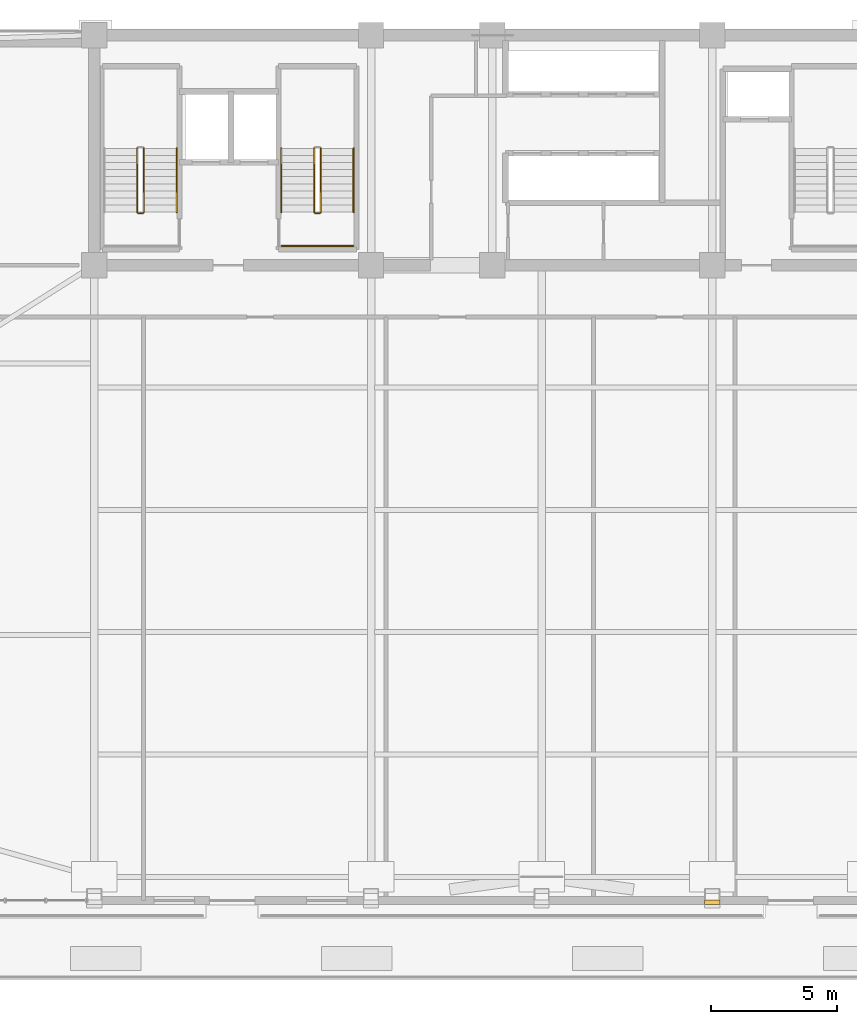
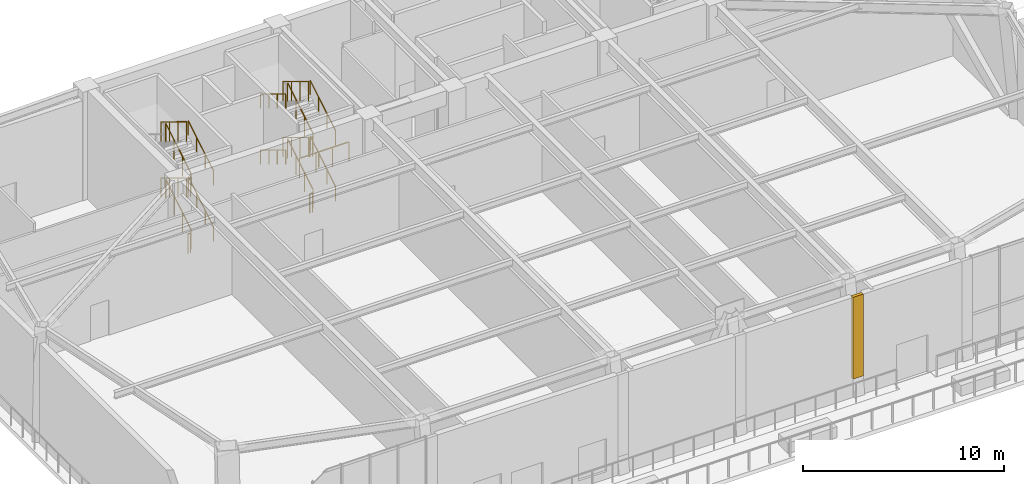
# One storey, part 13 of 16: 19 railings, 1 covering.
"""IFC4 building model written with IfcOpenShell, lengths in metres."""

from ifc_helpers import new_model, si_unit, direction, frame, origin, origin_2d, place, context, subcontext, project, spatial, polyline, rectangle, outline, extrude, material, layer, layer_set, type_object, element, save


model = new_model("IFC4")

# Units and contexts
model_context = context("Model", 3, precision=1e-05, world=origin(), true_north=direction((0.0, 1.0)))
body_context = subcontext(model_context, "Body", "Model", "MODEL_VIEW")
ifc_project = project(units=[si_unit("LENGTHUNIT", "METRE"), si_unit("AREAUNIT", "SQUARE_METRE"), si_unit("VOLUMEUNIT", "CUBIC_METRE"), si_unit("PLANEANGLEUNIT", "RADIAN"), si_unit("MASSUNIT", "GRAM", prefix="KILO")], contexts=[model_context])

# Site, building, storey
site_placement = place(None, origin())
site = spatial("IfcSite", under=ifc_project, at=site_placement, CompositionType="ELEMENT")
building_placement = place(site_placement, origin())
building = spatial("IfcBuilding", under=site, at=building_placement, Name="Giltprow Tower", CompositionType="ELEMENT")
storey_placement = place(building_placement, frame((0.0, 0.0, 220.199951171875)))
storey = spatial("IfcBuildingStorey", under=building, at=storey_placement, Name="L56", CompositionType="ELEMENT", Elevation=220.199951171875)

# Covering
ifc_material = material(Name="Anodized bronze", Category="metal")
ifc_layer = layer(ifc_material, 0.0400390625, Name="Anodized bronze")
ifc_layer_set = layer_set([ifc_layer], Name="Anodized bronze")
covering_type = type_object("IfcCoveringType", Name="COV-SOFFIT-BRONZE", PredefinedType="CLADDING", material=ifc_layer_set)
covering_placement = place(storey_placement, frame((0.0, 0.0, 1.10009765625)))
element("IfcCovering", 1, at=covering_placement, inside=storey, type_object=covering_type, Name="L56 Setback Pier Closure Cladding S-4", PredefinedType="CLADDING", context=body_context, shape_type="SweptSolid", body=[
    extrude(outline(polyline([(44.0, 12.157958984375), (44.60009765625, 12.157958984375), (44.60009765625, 12.337890625), (44.0, 12.337890625), (44.0, 12.157958984375)])), origin(), (0.0, 0.0, 1.0), 4.96484375),
])

# Railings
railing_type_1 = type_object("IfcRailingType", Name="RAIL-STAIR-GUARD-1200", PredefinedType="GUARDRAIL", material=ifc_material)
railing_1_placement = place(storey_placement, frame((21.81005859375, 39.550048828125, 0.170166015625)))
element("IfcRailing", 2, at=railing_1_placement, inside=storey, type_object=railing_type_1, Name="L56 ST-1 stair guard 1", PredefinedType="GUARDRAIL", context=body_context, shape_type="SweptSolid", body=[
    extrude(rectangle(XDim=0.048095703125, YDim=0.048095703125, at=origin_2d()), frame((0.0, 0.0, 1.17578125), z_axis=(0.0, 0.854821627497, 0.518921945155), x_axis=(-1.0, 0.0, 0.0)), (0.0, 0.0, 1.0), 2.947998046875),
    extrude(rectangle(XDim=0.0419921875, YDim=0.0419921875, at=origin_2d()), origin(), (0.0, 0.0, 1.0), 1.15185546875),
    extrude(rectangle(XDim=0.0419921875, YDim=0.0419921875, at=origin_2d()), frame((0.0, 0.840087890625, 0.510009765625)), (0.0, 0.0, 1.0), 1.15185546875),
    extrude(rectangle(XDim=0.0419921875, YDim=0.0419921875, at=origin_2d()), frame((0.0, 1.679931640625, 1.019775390625)), (0.0, 0.0, 1.0), 1.15185546875),
    extrude(rectangle(XDim=0.0419921875, YDim=0.0419921875, at=origin_2d()), frame((0.0, 2.52001953125, 1.52978515625)), (0.0, 0.0, 1.0), 1.15185546875),
])
railing_2_placement = place(storey_placement, frame((21.550048828125, 42.070068359375, 1.8701171875)))
element("IfcRailing", 3, at=railing_2_placement, inside=storey, type_object=railing_type_1, Name="L56 ST-1 stair guard 3", PredefinedType="GUARDRAIL", context=body_context, shape_type="SweptSolid", body=[
    extrude(rectangle(XDim=0.048095703125, YDim=0.048095703125, at=origin_2d()), frame((0.0, 0.0, 1.17578125), z_axis=(0.0, -0.85478489116, 0.518982456201), x_axis=(1.0, 0.0, 0.0)), (0.0, 0.0, 1.0), 2.9482421875),
    extrude(rectangle(XDim=0.0419921875, YDim=0.0419921875, at=origin_2d()), origin(), (0.0, 0.0, 1.0), 1.15185546875),
    extrude(rectangle(XDim=0.0419921875, YDim=0.0419921875, at=origin_2d()), frame((0.0, -0.840087890625, 0.510009765625)), (0.0, 0.0, 1.0), 1.15185546875),
    extrude(rectangle(XDim=0.0419921875, YDim=0.0419921875, at=origin_2d()), frame((0.0, -1.679931640625, 1.02001953125)), (0.0, 0.0, 1.0), 1.15185546875),
    extrude(rectangle(XDim=0.0419921875, YDim=0.0419921875, at=origin_2d()), frame((0.0, -2.52001953125, 1.530029296875)), (0.0, 0.0, 1.0), 1.15185546875),
])
railing_3_placement = place(storey_placement, frame((21.760009765625, 39.5, 3.400146484375)))
element("IfcRailing", 4, at=railing_3_placement, inside=storey, type_object=railing_type_1, Name="L56 ST-1 stair guard 4", PredefinedType="GUARDRAIL", context=body_context, shape_type="SweptSolid", body=[
    extrude(rectangle(XDim=0.048095703125, YDim=0.048095703125, at=origin_2d()), frame((0.0, 0.0, 1.17578125), z_axis=(-1.0, 0.0, 0.0), x_axis=(0.0, -1.0, 0.0)), (0.0, 0.0, 1.0), 0.159912109375),
    extrude(rectangle(XDim=0.0419921875, YDim=0.0419921875, at=origin_2d()), origin(), (0.0, 0.0, 1.0), 1.15185546875),
    extrude(rectangle(XDim=0.0419921875, YDim=0.0419921875, at=origin_2d()), frame((-0.159912109375, 0.0, 0.0)), (0.0, 0.0, 1.0), 1.15185546875),
])
railing_4_placement = place(storey_placement, frame((21.81005859375, 39.550048828125, 3.570068359375)))
element("IfcRailing", 5, at=railing_4_placement, inside=storey, type_object=railing_type_1, Name="L56 ST-1 stair guard 5", PredefinedType="GUARDRAIL", context=body_context, shape_type="SweptSolid", body=[
    extrude(rectangle(XDim=0.048095703125, YDim=0.048095703125, at=origin_2d()), frame((0.0, 0.0, 1.17578125), z_axis=(0.0, 0.85478489116, 0.518982456201), x_axis=(-1.0, 0.0, 0.0)), (0.0, 0.0, 1.0), 2.9482421875),
    extrude(rectangle(XDim=0.0419921875, YDim=0.0419921875, at=origin_2d()), origin(), (0.0, 0.0, 1.0), 1.15185546875),
    extrude(rectangle(XDim=0.0419921875, YDim=0.0419921875, at=origin_2d()), frame((0.0, 0.840087890625, 0.510009765625)), (0.0, 0.0, 1.0), 1.15185546875),
    extrude(rectangle(XDim=0.0419921875, YDim=0.0419921875, at=origin_2d()), frame((0.0, 1.679931640625, 1.02001953125)), (0.0, 0.0, 1.0), 1.15185546875),
    extrude(rectangle(XDim=0.0419921875, YDim=0.0419921875, at=origin_2d()), frame((0.0, 2.52001953125, 1.530029296875)), (0.0, 0.0, 1.0), 1.15185546875),
])
railing_5_placement = place(storey_placement, frame((21.550048828125, 42.070068359375, 5.27001953125)))
element("IfcRailing", 6, at=railing_5_placement, inside=storey, type_object=railing_type_1, Name="L56 ST-1 stair guard 7", PredefinedType="GUARDRAIL", context=body_context, shape_type="SweptSolid", body=[
    extrude(rectangle(XDim=0.048095703125, YDim=0.048095703125, at=origin_2d()), frame((0.0, 0.0, 1.17578125), z_axis=(0.0, -0.85478489116, 0.518982456201), x_axis=(1.0, 0.0, 0.0)), (0.0, 0.0, 1.0), 2.9482421875),
    extrude(rectangle(XDim=0.0419921875, YDim=0.0419921875, at=origin_2d()), origin(), (0.0, 0.0, 1.0), 1.15185546875),
    extrude(rectangle(XDim=0.0419921875, YDim=0.0419921875, at=origin_2d()), frame((0.0, -0.840087890625, 0.510009765625)), (0.0, 0.0, 1.0), 1.15185546875),
    extrude(rectangle(XDim=0.0419921875, YDim=0.0419921875, at=origin_2d()), frame((0.0, -1.679931640625, 1.02001953125)), (0.0, 0.0, 1.0), 1.15185546875),
    extrude(rectangle(XDim=0.0419921875, YDim=0.0419921875, at=origin_2d()), frame((0.0, -2.52001953125, 1.530029296875)), (0.0, 0.0, 1.0), 1.15185546875),
])
railing_6_placement = place(storey_placement, frame((21.760009765625, 39.5, 0.0)))
element("IfcRailing", 7, at=railing_6_placement, inside=storey, type_object=railing_type_1, Name="L56 ST-1 stair guard 8", PredefinedType="GUARDRAIL", context=body_context, shape_type="SweptSolid", body=[
    extrude(rectangle(XDim=0.048095703125, YDim=0.048095703125, at=origin_2d()), frame((0.0, 0.0, 1.17578125), z_axis=(-1.0, 0.0, 0.0), x_axis=(0.0, -1.0, 0.0)), (0.0, 0.0, 1.0), 0.159912109375),
    extrude(rectangle(XDim=0.0419921875, YDim=0.0419921875, at=origin_2d()), origin(), (0.0, 0.0, 1.0), 1.15185546875),
    extrude(rectangle(XDim=0.0419921875, YDim=0.0419921875, at=origin_2d()), frame((-0.159912109375, 0.0, 0.0)), (0.0, 0.0, 1.0), 1.15185546875),
])
railing_7_placement = place(storey_placement, frame((28.81005859375, 39.550048828125, 0.170166015625)))
element("IfcRailing", 8, at=railing_7_placement, inside=storey, type_object=railing_type_1, Name="L56 ST-2 stair guard 1", PredefinedType="GUARDRAIL", context=body_context, shape_type="SweptSolid", body=[
    extrude(rectangle(XDim=0.048095703125, YDim=0.048095703125, at=origin_2d()), frame((0.0, 0.0, 1.17578125), z_axis=(0.0, 0.854821627497, 0.518921945155), x_axis=(-1.0, 0.0, 0.0)), (0.0, 0.0, 1.0), 2.947998046875),
    extrude(rectangle(XDim=0.0419921875, YDim=0.0419921875, at=origin_2d()), origin(), (0.0, 0.0, 1.0), 1.15185546875),
    extrude(rectangle(XDim=0.0419921875, YDim=0.0419921875, at=origin_2d()), frame((0.0, 0.840087890625, 0.510009765625)), (0.0, 0.0, 1.0), 1.15185546875),
    extrude(rectangle(XDim=0.0419921875, YDim=0.0419921875, at=origin_2d()), frame((0.0, 1.679931640625, 1.019775390625)), (0.0, 0.0, 1.0), 1.15185546875),
    extrude(rectangle(XDim=0.0419921875, YDim=0.0419921875, at=origin_2d()), frame((0.0, 2.52001953125, 1.52978515625)), (0.0, 0.0, 1.0), 1.15185546875),
])
railing_8_placement = place(storey_placement, frame((28.550048828125, 42.070068359375, 1.8701171875)))
element("IfcRailing", 9, at=railing_8_placement, inside=storey, type_object=railing_type_1, Name="L56 ST-2 stair guard 3", PredefinedType="GUARDRAIL", context=body_context, shape_type="SweptSolid", body=[
    extrude(rectangle(XDim=0.048095703125, YDim=0.048095703125, at=origin_2d()), frame((0.0, 0.0, 1.17578125), z_axis=(0.0, -0.85478489116, 0.518982456201), x_axis=(1.0, 0.0, 0.0)), (0.0, 0.0, 1.0), 2.9482421875),
    extrude(rectangle(XDim=0.0419921875, YDim=0.0419921875, at=origin_2d()), origin(), (0.0, 0.0, 1.0), 1.15185546875),
    extrude(rectangle(XDim=0.0419921875, YDim=0.0419921875, at=origin_2d()), frame((0.0, -0.840087890625, 0.510009765625)), (0.0, 0.0, 1.0), 1.15185546875),
    extrude(rectangle(XDim=0.0419921875, YDim=0.0419921875, at=origin_2d()), frame((0.0, -1.679931640625, 1.02001953125)), (0.0, 0.0, 1.0), 1.15185546875),
    extrude(rectangle(XDim=0.0419921875, YDim=0.0419921875, at=origin_2d()), frame((0.0, -2.52001953125, 1.530029296875)), (0.0, 0.0, 1.0), 1.15185546875),
])
railing_9_placement = place(storey_placement, frame((28.760009765625, 39.5, 3.400146484375)))
element("IfcRailing", 10, at=railing_9_placement, inside=storey, type_object=railing_type_1, Name="L56 ST-2 stair guard 4", PredefinedType="GUARDRAIL", context=body_context, shape_type="SweptSolid", body=[
    extrude(rectangle(XDim=0.048095703125, YDim=0.048095703125, at=origin_2d()), frame((0.0, 0.0, 1.17578125), z_axis=(-1.0, 0.0, 0.0), x_axis=(0.0, -1.0, 0.0)), (0.0, 0.0, 1.0), 0.159912109375),
    extrude(rectangle(XDim=0.0419921875, YDim=0.0419921875, at=origin_2d()), origin(), (0.0, 0.0, 1.0), 1.15185546875),
    extrude(rectangle(XDim=0.0419921875, YDim=0.0419921875, at=origin_2d()), frame((-0.159912109375, 0.0, 0.0)), (0.0, 0.0, 1.0), 1.15185546875),
])
railing_10_placement = place(storey_placement, frame((28.81005859375, 39.550048828125, 3.570068359375)))
element("IfcRailing", 11, at=railing_10_placement, inside=storey, type_object=railing_type_1, Name="L56 ST-2 stair guard 5", PredefinedType="GUARDRAIL", context=body_context, shape_type="SweptSolid", body=[
    extrude(rectangle(XDim=0.048095703125, YDim=0.048095703125, at=origin_2d()), frame((0.0, 0.0, 1.17578125), z_axis=(0.0, 0.85478489116, 0.518982456201), x_axis=(-1.0, 0.0, 0.0)), (0.0, 0.0, 1.0), 2.9482421875),
    extrude(rectangle(XDim=0.0419921875, YDim=0.0419921875, at=origin_2d()), origin(), (0.0, 0.0, 1.0), 1.15185546875),
    extrude(rectangle(XDim=0.0419921875, YDim=0.0419921875, at=origin_2d()), frame((0.0, 0.840087890625, 0.510009765625)), (0.0, 0.0, 1.0), 1.15185546875),
    extrude(rectangle(XDim=0.0419921875, YDim=0.0419921875, at=origin_2d()), frame((0.0, 1.679931640625, 1.02001953125)), (0.0, 0.0, 1.0), 1.15185546875),
    extrude(rectangle(XDim=0.0419921875, YDim=0.0419921875, at=origin_2d()), frame((0.0, 2.52001953125, 1.530029296875)), (0.0, 0.0, 1.0), 1.15185546875),
])
railing_11_placement = place(storey_placement, frame((28.550048828125, 42.070068359375, 5.27001953125)))
element("IfcRailing", 12, at=railing_11_placement, inside=storey, type_object=railing_type_1, Name="L56 ST-2 stair guard 7", PredefinedType="GUARDRAIL", context=body_context, shape_type="SweptSolid", body=[
    extrude(rectangle(XDim=0.048095703125, YDim=0.048095703125, at=origin_2d()), frame((0.0, 0.0, 1.17578125), z_axis=(0.0, -0.85478489116, 0.518982456201), x_axis=(1.0, 0.0, 0.0)), (0.0, 0.0, 1.0), 2.9482421875),
    extrude(rectangle(XDim=0.0419921875, YDim=0.0419921875, at=origin_2d()), origin(), (0.0, 0.0, 1.0), 1.15185546875),
    extrude(rectangle(XDim=0.0419921875, YDim=0.0419921875, at=origin_2d()), frame((0.0, -0.840087890625, 0.510009765625)), (0.0, 0.0, 1.0), 1.15185546875),
    extrude(rectangle(XDim=0.0419921875, YDim=0.0419921875, at=origin_2d()), frame((0.0, -1.679931640625, 1.02001953125)), (0.0, 0.0, 1.0), 1.15185546875),
    extrude(rectangle(XDim=0.0419921875, YDim=0.0419921875, at=origin_2d()), frame((0.0, -2.52001953125, 1.530029296875)), (0.0, 0.0, 1.0), 1.15185546875),
])
railing_12_placement = place(storey_placement, frame((28.760009765625, 39.5, 0.0)))
element("IfcRailing", 13, at=railing_12_placement, inside=storey, type_object=railing_type_1, Name="L56 ST-2 stair guard 8", PredefinedType="GUARDRAIL", context=body_context, shape_type="SweptSolid", body=[
    extrude(rectangle(XDim=0.048095703125, YDim=0.048095703125, at=origin_2d()), frame((0.0, 0.0, 1.17578125), z_axis=(-1.0, 0.0, 0.0), x_axis=(0.0, -1.0, 0.0)), (0.0, 0.0, 1.0), 0.159912109375),
    extrude(rectangle(XDim=0.0419921875, YDim=0.0419921875, at=origin_2d()), origin(), (0.0, 0.0, 1.0), 1.15185546875),
    extrude(rectangle(XDim=0.0419921875, YDim=0.0419921875, at=origin_2d()), frame((-0.159912109375, 0.0, 0.0)), (0.0, 0.0, 1.0), 1.15185546875),
])
railing_13_placement = place(storey_placement, frame((27.260009765625, 38.2099609375, 3.400146484375)))
element("IfcRailing", 14, at=railing_13_placement, inside=storey, type_object=railing_type_1, Name="L56 ST-2 Mid-Landing Guard 2", PredefinedType="GUARDRAIL", context=body_context, shape_type="SweptSolid", body=[
    extrude(rectangle(XDim=0.048095703125, YDim=0.048095703125, at=origin_2d()), frame((0.0, 0.0, 1.17578125), z_axis=(1.0, 0.0, 0.0), x_axis=(0.0, 1.0, 0.0)), (0.0, 0.0, 1.0), 2.840087890625),
    extrude(rectangle(XDim=0.0419921875, YDim=0.0419921875, at=origin_2d()), origin(), (0.0, 0.0, 1.0), 1.15185546875),
    extrude(rectangle(XDim=0.0419921875, YDim=0.0419921875, at=origin_2d()), frame((0.94677734375, 0.0, 0.0)), (0.0, 0.0, 1.0), 1.15185546875),
    extrude(rectangle(XDim=0.0419921875, YDim=0.0419921875, at=origin_2d()), frame((1.893310546875, 0.0, 0.0)), (0.0, 0.0, 1.0), 1.15185546875),
    extrude(rectangle(XDim=0.0419921875, YDim=0.0419921875, at=origin_2d()), frame((2.840087890625, 0.0, 0.0)), (0.0, 0.0, 1.0), 1.15185546875),
])
railing_type_2 = type_object("IfcRailingType", Name="RAIL-STAIR-HAND-900", PredefinedType="HANDRAIL", material=ifc_material)
railing_14_placement = place(storey_placement, frame((23.110107421875, 39.550048828125, 0.170166015625)))
element("IfcRailing", 15, at=railing_14_placement, inside=storey, type_object=railing_type_2, Name="L56 ST-1 stair handrail 1", PredefinedType="HANDRAIL", context=body_context, shape_type="SweptSolid", body=[
    extrude(rectangle(XDim=0.048095703125, YDim=0.048095703125, at=origin_2d()), frame((0.0, 0.0, 0.8759765625), z_axis=(0.0, 0.854821627497, 0.518921945155), x_axis=(-1.0, 0.0, 0.0)), (0.0, 0.0, 1.0), 2.947998046875),
    extrude(rectangle(XDim=0.0419921875, YDim=0.0419921875, at=origin_2d()), origin(), (0.0, 0.0, 1.0), 0.851806640625),
    extrude(rectangle(XDim=0.0419921875, YDim=0.0419921875, at=origin_2d()), frame((0.0, 0.840087890625, 0.510009765625)), (0.0, 0.0, 1.0), 0.851806640625),
    extrude(rectangle(XDim=0.0419921875, YDim=0.0419921875, at=origin_2d()), frame((0.0, 1.679931640625, 1.019775390625)), (0.0, 0.0, 1.0), 0.851806640625),
    extrude(rectangle(XDim=0.0419921875, YDim=0.0419921875, at=origin_2d()), frame((0.0, 2.52001953125, 1.52978515625)), (0.0, 0.0, 1.0), 0.851806640625),
])
railing_15_placement = place(storey_placement, frame((23.110107421875, 39.550048828125, 3.570068359375)))
element("IfcRailing", 16, at=railing_15_placement, inside=storey, type_object=railing_type_2, Name="L56 ST-1 stair handrail 3", PredefinedType="HANDRAIL", context=body_context, shape_type="SweptSolid", body=[
    extrude(rectangle(XDim=0.048095703125, YDim=0.048095703125, at=origin_2d()), frame((0.0, 0.0, 0.8759765625), z_axis=(0.0, 0.85478489116, 0.518982456201), x_axis=(-1.0, 0.0, 0.0)), (0.0, 0.0, 1.0), 2.9482421875),
    extrude(rectangle(XDim=0.0419921875, YDim=0.0419921875, at=origin_2d()), origin(), (0.0, 0.0, 1.0), 0.851806640625),
    extrude(rectangle(XDim=0.0419921875, YDim=0.0419921875, at=origin_2d()), frame((0.0, 0.840087890625, 0.510009765625)), (0.0, 0.0, 1.0), 0.851806640625),
    extrude(rectangle(XDim=0.0419921875, YDim=0.0419921875, at=origin_2d()), frame((0.0, 1.679931640625, 1.02001953125)), (0.0, 0.0, 1.0), 0.851806640625),
    extrude(rectangle(XDim=0.0419921875, YDim=0.0419921875, at=origin_2d()), frame((0.0, 2.52001953125, 1.530029296875)), (0.0, 0.0, 1.0), 0.851806640625),
])
railing_16_placement = place(storey_placement, frame((30.110107421875, 39.550048828125, 0.170166015625)))
element("IfcRailing", 17, at=railing_16_placement, inside=storey, type_object=railing_type_2, Name="L56 ST-2 stair handrail 1", PredefinedType="HANDRAIL", context=body_context, shape_type="SweptSolid", body=[
    extrude(rectangle(XDim=0.048095703125, YDim=0.048095703125, at=origin_2d()), frame((0.0, 0.0, 0.8759765625), z_axis=(0.0, 0.854821627497, 0.518921945155), x_axis=(-1.0, 0.0, 0.0)), (0.0, 0.0, 1.0), 2.947998046875),
    extrude(rectangle(XDim=0.0419921875, YDim=0.0419921875, at=origin_2d()), origin(), (0.0, 0.0, 1.0), 0.851806640625),
    extrude(rectangle(XDim=0.0419921875, YDim=0.0419921875, at=origin_2d()), frame((0.0, 0.840087890625, 0.510009765625)), (0.0, 0.0, 1.0), 0.851806640625),
    extrude(rectangle(XDim=0.0419921875, YDim=0.0419921875, at=origin_2d()), frame((0.0, 1.679931640625, 1.019775390625)), (0.0, 0.0, 1.0), 0.851806640625),
    extrude(rectangle(XDim=0.0419921875, YDim=0.0419921875, at=origin_2d()), frame((0.0, 2.52001953125, 1.52978515625)), (0.0, 0.0, 1.0), 0.851806640625),
])
railing_17_placement = place(storey_placement, frame((27.25, 42.070068359375, 1.8701171875)))
element("IfcRailing", 18, at=railing_17_placement, inside=storey, type_object=railing_type_2, Name="L56 ST-2 stair handrail 2", PredefinedType="HANDRAIL", context=body_context, shape_type="SweptSolid", body=[
    extrude(rectangle(XDim=0.048095703125, YDim=0.048095703125, at=origin_2d()), frame((0.0, 0.0, 0.8759765625), z_axis=(0.0, -0.85478489116, 0.518982456201), x_axis=(1.0, 0.0, 0.0)), (0.0, 0.0, 1.0), 2.9482421875),
    extrude(rectangle(XDim=0.0419921875, YDim=0.0419921875, at=origin_2d()), origin(), (0.0, 0.0, 1.0), 0.851806640625),
    extrude(rectangle(XDim=0.0419921875, YDim=0.0419921875, at=origin_2d()), frame((0.0, -0.840087890625, 0.510009765625)), (0.0, 0.0, 1.0), 0.851806640625),
    extrude(rectangle(XDim=0.0419921875, YDim=0.0419921875, at=origin_2d()), frame((0.0, -1.679931640625, 1.02001953125)), (0.0, 0.0, 1.0), 0.851806640625),
    extrude(rectangle(XDim=0.0419921875, YDim=0.0419921875, at=origin_2d()), frame((0.0, -2.52001953125, 1.530029296875)), (0.0, 0.0, 1.0), 0.851806640625),
])
railing_18_placement = place(storey_placement, frame((30.110107421875, 39.550048828125, 3.570068359375)))
element("IfcRailing", 19, at=railing_18_placement, inside=storey, type_object=railing_type_2, Name="L56 ST-2 stair handrail 3", PredefinedType="HANDRAIL", context=body_context, shape_type="SweptSolid", body=[
    extrude(rectangle(XDim=0.048095703125, YDim=0.048095703125, at=origin_2d()), frame((0.0, 0.0, 0.8759765625), z_axis=(0.0, 0.85478489116, 0.518982456201), x_axis=(-1.0, 0.0, 0.0)), (0.0, 0.0, 1.0), 2.9482421875),
    extrude(rectangle(XDim=0.0419921875, YDim=0.0419921875, at=origin_2d()), origin(), (0.0, 0.0, 1.0), 0.851806640625),
    extrude(rectangle(XDim=0.0419921875, YDim=0.0419921875, at=origin_2d()), frame((0.0, 0.840087890625, 0.510009765625)), (0.0, 0.0, 1.0), 0.851806640625),
    extrude(rectangle(XDim=0.0419921875, YDim=0.0419921875, at=origin_2d()), frame((0.0, 1.679931640625, 1.02001953125)), (0.0, 0.0, 1.0), 0.851806640625),
    extrude(rectangle(XDim=0.0419921875, YDim=0.0419921875, at=origin_2d()), frame((0.0, 2.52001953125, 1.530029296875)), (0.0, 0.0, 1.0), 0.851806640625),
])
railing_19_placement = place(storey_placement, frame((27.25, 42.070068359375, 5.27001953125)))
element("IfcRailing", 20, at=railing_19_placement, inside=storey, type_object=railing_type_2, Name="L56 ST-2 stair handrail 4", PredefinedType="HANDRAIL", context=body_context, shape_type="SweptSolid", body=[
    extrude(rectangle(XDim=0.048095703125, YDim=0.048095703125, at=origin_2d()), frame((0.0, 0.0, 0.8759765625), z_axis=(0.0, -0.85478489116, 0.518982456201), x_axis=(1.0, 0.0, 0.0)), (0.0, 0.0, 1.0), 2.9482421875),
    extrude(rectangle(XDim=0.0419921875, YDim=0.0419921875, at=origin_2d()), origin(), (0.0, 0.0, 1.0), 0.851806640625),
    extrude(rectangle(XDim=0.0419921875, YDim=0.0419921875, at=origin_2d()), frame((0.0, -0.840087890625, 0.510009765625)), (0.0, 0.0, 1.0), 0.851806640625),
    extrude(rectangle(XDim=0.0419921875, YDim=0.0419921875, at=origin_2d()), frame((0.0, -1.679931640625, 1.02001953125)), (0.0, 0.0, 1.0), 0.851806640625),
    extrude(rectangle(XDim=0.0419921875, YDim=0.0419921875, at=origin_2d()), frame((0.0, -2.52001953125, 1.530029296875)), (0.0, 0.0, 1.0), 0.851806640625),
])

save(model, "model.ifc")
